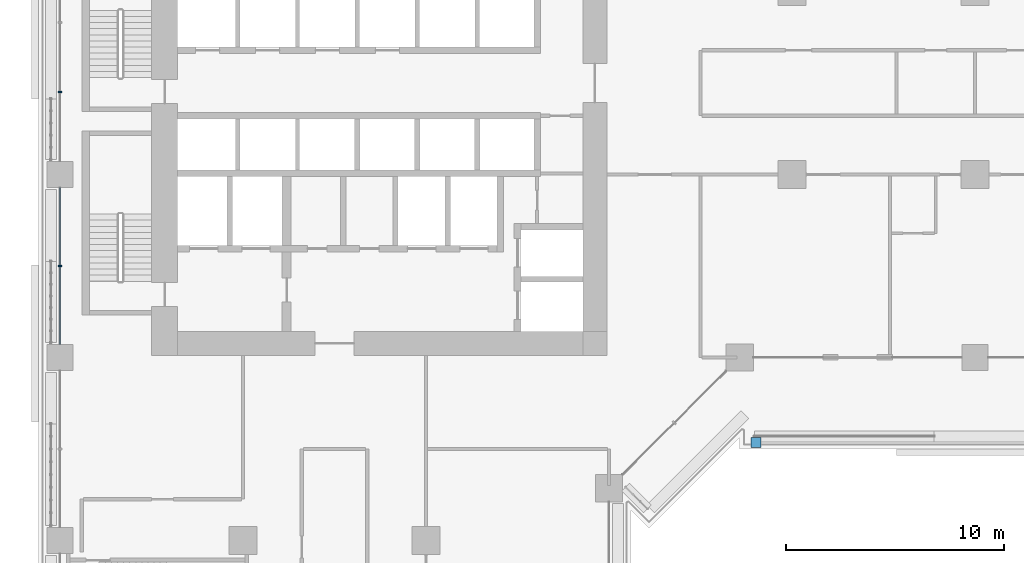
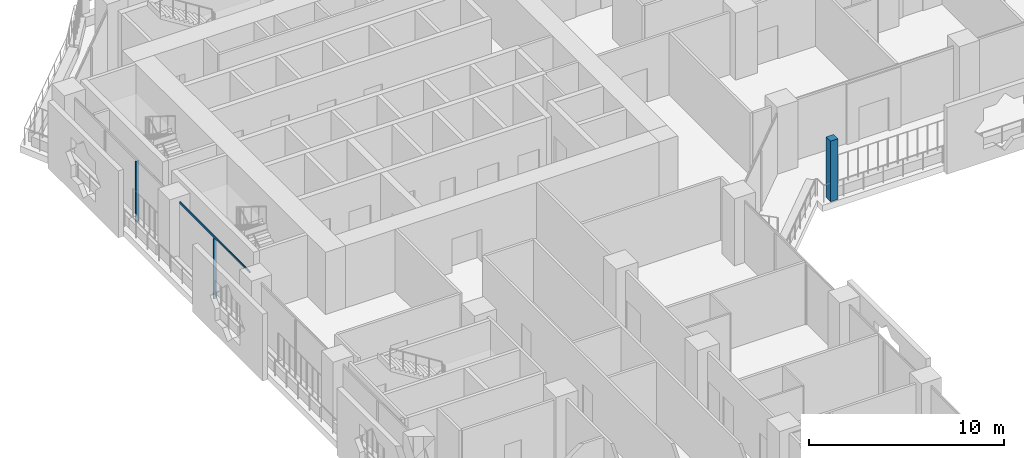
# One storey, part 5 of 28: 4 members, 2 elements without a shape of their own.
"""IFC4 building model written with IfcOpenShell, lengths in metres."""

from ifc_helpers import new_model, si_unit, direction, frame, origin, origin_2d, place, context, subcontext, project, spatial, rectangle, extrude, material, layer, layer_set, material_profile, profile_set, type_object, element, aggregate, save


model = new_model("IFC4")

# Units and contexts
model_context = context("Model", 3, precision=1e-05, world=origin(), true_north=direction((0.0, 1.0)))
body_context = subcontext(model_context, "Body", "Model", "MODEL_VIEW")
ifc_project = project(units=[si_unit("LENGTHUNIT", "METRE"), si_unit("AREAUNIT", "SQUARE_METRE"), si_unit("VOLUMEUNIT", "CUBIC_METRE"), si_unit("PLANEANGLEUNIT", "RADIAN"), si_unit("MASSUNIT", "GRAM", prefix="KILO")], contexts=[model_context])

# Site, building, storey
site_placement = place(None, origin())
site = spatial("IfcSite", under=ifc_project, at=site_placement, CompositionType="ELEMENT")
building_placement = place(site_placement, origin())
building = spatial("IfcBuilding", under=site, at=building_placement, Name="Kawkab Arch Medical Tower", CompositionType="ELEMENT")
storey_placement = place(building_placement, frame((0.0, 0.0, 68.60009765625)))
storey = spatial("IfcBuildingStorey", under=building, at=storey_placement, Name="L15", CompositionType="ELEMENT", Elevation=68.60009765625)

# Curtain wall, members
ifc_material_1 = material(Name="Bronze anodised aluminium curtain wall frame", Category="aluminium")
ifc_layer_1 = layer(ifc_material_1, 0.159912109375)
ifc_layer_set_1 = layer_set([ifc_layer_1], Name="Bronze anodised aluminium curtain wall frame")
curtain_wall_type_1 = type_object("IfcCurtainWallType", Name="CW1 ward curtain wall", PredefinedType="NOTDEFINED", material=ifc_layer_set_1)
placement = place(storey_placement, origin())
curtain_wall_1 = element("IfcCurtainWall", 1, at=placement, inside=storey, type_object=curtain_wall_type_1, Name="CW1 Ward curtain wall R01", PredefinedType="NOTDEFINED")
ifc_material_2 = material(Name="Bronze anodised aluminium curtain wall frame", Category="aluminium")
ifc_material_profile_1 = material_profile(ifc_material_2, rectangle(XDim=0.179931640625, YDim=0.06005859375, at=origin_2d()), Name="AL 60x180")
ifc_profile_set_1 = profile_set([ifc_material_profile_1], Name="Bronze anodised aluminium curtain wall frame")
member_type_1 = type_object("IfcMemberType", Name="CW1 mullion 60 x 180", PredefinedType="MULLION", material=ifc_profile_set_1)
member_1_placement = place(storey_placement, frame((0.0, -13.00830078125, 0.0), z_axis=(0.0, 0.0, 1.0), x_axis=(1.0, 0.0, 0.0)))
member_1 = element("IfcMember", 2, at=member_1_placement, type_object=member_type_1, Name="CW1 mullion 1.2", PredefinedType="MULLION", context=body_context, shape_type="SweptSolid", body=[
    extrude(rectangle(XDim=0.179931640625, YDim=0.06005859375, at=origin_2d()), origin(), (0.0, 0.0, 1.0), 3.77978515625),
])
member_2_placement = place(storey_placement, frame((0.0, -21.0, 0.0), z_axis=(0.0, 0.0, 1.0), x_axis=(1.0, 0.0, 0.0)))
member_2 = element("IfcMember", 3, at=member_2_placement, type_object=member_type_1, Name="CW1 mullion 2.1", PredefinedType="MULLION", context=body_context, shape_type="SweptSolid", body=[
    extrude(rectangle(XDim=0.179931640625, YDim=0.06005859375, at=origin_2d()), origin(), (0.0, 0.0, 1.0), 3.77978515625),
])
ifc_material_3 = material(Name="Bronze anodised aluminium curtain wall frame", Category="aluminium")
ifc_material_profile_2 = material_profile(ifc_material_3, rectangle(XDim=0.06005859375, YDim=0.1201171875, at=origin_2d()), Name="AL 60x120")
ifc_profile_set_2 = profile_set([ifc_material_profile_2], Name="Bronze anodised aluminium curtain wall frame")
member_type_2 = type_object("IfcMemberType", Name="CW1 transom 120 x 60", PredefinedType="USERDEFINED", material=ifc_profile_set_2)
member_3_placement = place(storey_placement, frame((0.0, -17.39990234375, 3.83984375), z_axis=(0.0, -1.0, 0.0), x_axis=(1.0, 0.0, 0.0)))
member_3 = element("IfcMember", 4, at=member_3_placement, type_object=member_type_2, Name="CW1 transom 2", ObjectType="TRANSOM", PredefinedType="USERDEFINED", context=body_context, shape_type="SweptSolid", body=[
    extrude(rectangle(XDim=0.06005859375, YDim=0.1201171875, at=origin_2d()), origin(), (0.0, 0.0, 1.0), 7.2001953125),
])
aggregate(curtain_wall_1, [member_1, member_3, member_2])

# Curtain wall, member
ifc_material_4 = material(Name="Bronze anodised aluminium climber frame, planted", Category="aluminium")
ifc_layer_2 = layer(ifc_material_4, 0.449951171875)
ifc_layer_set_2 = layer_set([ifc_layer_2], Name="Bronze anodised aluminium climber frame, planted")
curtain_wall_type_2 = type_object("IfcCurtainWallType", Name="Planted climber frame", PredefinedType="NOTDEFINED", material=ifc_layer_set_2)
curtain_wall_2 = element("IfcCurtainWall", 5, at=placement, inside=storey, type_object=curtain_wall_type_2, Name="Planted climber frame L15", PredefinedType="NOTDEFINED")
ifc_material_5 = material(Name="Bronze anodised aluminium climber frame, planted", Category="aluminium")
ifc_material_profile_3 = material_profile(ifc_material_5, rectangle(XDim=0.449951171875, YDim=0.449951171875, at=origin_2d()), Name="Post 450x450")
ifc_profile_set_3 = profile_set([ifc_material_profile_3], Name="Bronze anodised aluminium climber frame, planted")
member_type_3 = type_object("IfcMemberType", Name="Planted climber post 450 x 450", PredefinedType="MULLION", material=ifc_profile_set_3)
member_4_placement = place(storey_placement, frame((31.949951171875, -29.10009765625, 0.0), z_axis=(0.0, 0.0, 1.0), x_axis=(1.0, 0.0, 0.0)))
member_4 = element("IfcMember", 6, at=member_4_placement, type_object=member_type_3, Name="Planted climber post L15.LOG-01-01.6", PredefinedType="MULLION", context=body_context, shape_type="SweptSolid", body=[
    extrude(rectangle(XDim=0.449951171875, YDim=0.449951171875, at=origin_2d()), origin(), (0.0, 0.0, 1.0), 3.7998046875),
])
aggregate(curtain_wall_2, [member_4])

save(model, "model.ifc")
